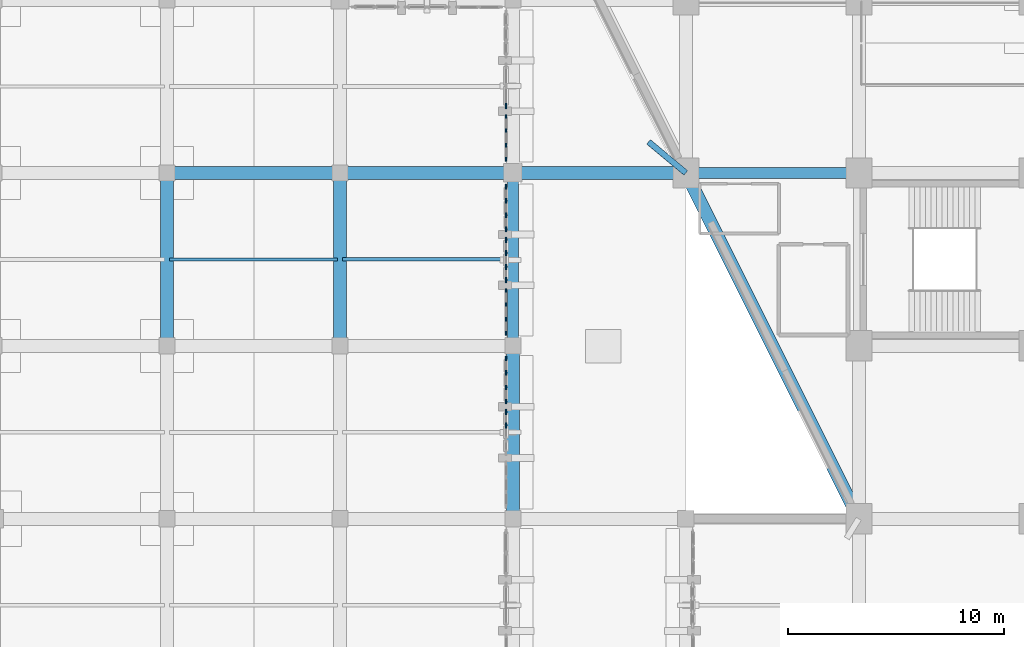
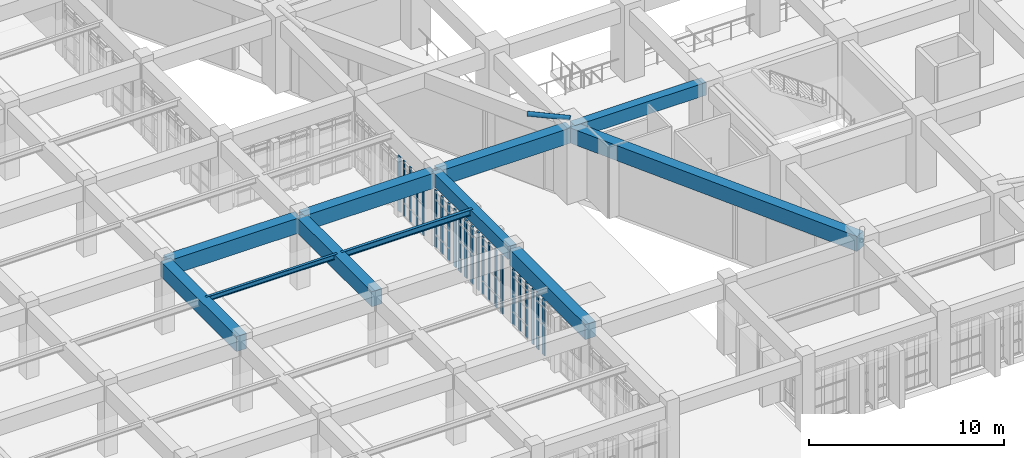
# One storey, part 13 of 155: 24 members, 11 beams, 7 elements without a shape of their own.
"""IFC4 building model written with IfcOpenShell, lengths in metres."""

from ifc_helpers import new_model, si_unit, direction, frame, origin, origin_2d, place, context, subcontext, project, spatial, rectangle, hollow_circle, i_section, extrude, material, layer, layer_set, material_profile, profile_set, type_object, element, aggregate, save


model = new_model("IFC4")

# Units and contexts
model_context = context("Model", 3, precision=1e-05, world=origin(), true_north=direction((0.0, 1.0)))
body_context = subcontext(model_context, "Body", "Model", "MODEL_VIEW")
ifc_project = project(units=[si_unit("LENGTHUNIT", "METRE"), si_unit("AREAUNIT", "SQUARE_METRE"), si_unit("VOLUMEUNIT", "CUBIC_METRE"), si_unit("PLANEANGLEUNIT", "RADIAN"), si_unit("MASSUNIT", "GRAM", prefix="KILO")], contexts=[model_context])

# Site, building, storey
site_placement = place(None, origin())
site = spatial("IfcSite", under=ifc_project, at=site_placement, CompositionType="ELEMENT")
building_placement = place(site_placement, origin())
building = spatial("IfcBuilding", under=site, at=building_placement, Name="Tazarka Park Arena", CompositionType="ELEMENT")
storey_placement = place(building_placement, frame((0.0, 0.0, 5.39990234375)))
storey = spatial("IfcBuildingStorey", under=building, at=storey_placement, Name="L01", CompositionType="ELEMENT", Elevation=5.39990234375)

# Beams
ifc_material_1 = material(Name="Concrete C40/50", Category="concrete")
ifc_material_profile_1 = material_profile(ifc_material_1, rectangle(XDim=0.60009765625, YDim=0.949951171875, at=origin_2d()), Name="Concrete C40/50")
ifc_profile_set_1 = profile_set([ifc_material_profile_1], Name="Concrete C40/50")
beam_type_1 = type_object("IfcBeamType", Name="BM-B-03", PredefinedType="BEAM", material=ifc_profile_set_1)
for number, where, z_axis, x_axis, name in (
    (1, (32.0, 24.1201171875, 3.945068359375), (0.0, 1.0, 0.0), (-1.0, 0.0, 0.0), "GYM-L01-04-03"),
    (2, (32.1201171875, 32.0, 3.945068359375), (1.0, 0.0, 0.0), (0.0, 1.0, 0.0), "GXM-L01-04-04"),
    (3, (40.0, 24.1201171875, 3.945068359375), (0.0, 1.0, 0.0), (-1.0, 0.0, 0.0), "GYM-L01-05-03"),
    (4, (40.1201171875, 32.0, 3.945068359375), (1.0, 0.0, 0.0), (0.0, 1.0, 0.0), "GXM-L01-05-04"),
    (5, (48.0, 16.1201171875, 3.945068359375), (0.0, 1.0, 0.0), (-1.0, 0.0, 0.0), "GYM-L01-06-02"),
    (6, (48.1201171875, 32.0, 3.945068359375), (1.0, 0.0, 0.0), (0.0, 1.0, 0.0), "GXM-L01-06-04"),
):
    element("IfcBeam", number, at=place(storey_placement, frame(where, z_axis=z_axis, x_axis=x_axis)), inside=storey, type_object=beam_type_1, Name=name, PredefinedType="BEAM", context=body_context, shape_type="SweptSolid", body=[
        extrude(rectangle(XDim=0.60009765625, YDim=0.949951171875, at=origin_2d()), origin(), (0.0, 0.0, 1.0), 7.759765625),
    ])
ifc_material_2 = material(Name="Steel S355", Category="steel")
ifc_material_profile_2 = material_profile(ifc_material_2, i_section(OverallWidth=0.14990234375, OverallDepth=0.300048828125, WebThickness=0.007080078125, FlangeThickness=0.0107421875, FilletRadius=0.014892578125, at=origin_2d()), Name="Steel S355")
ifc_profile_set_2 = profile_set([ifc_material_profile_2], Name="Steel S355")
beam_type_2 = type_object("IfcBeamType", Name="BM-J-01", PredefinedType="JOIST", material=ifc_profile_set_2)
beam_1_placement = place(storey_placement, frame((32.1201171875, 28.0, 4.27001953125), z_axis=(1.0, 0.0, 0.0), x_axis=(0.0, 1.0, 0.0)))
element("IfcBeam", 7, at=beam_1_placement, inside=storey, type_object=beam_type_2, Name="JST-L01-04-03", PredefinedType="JOIST", context=body_context, shape_type="SweptSolid", body=[
    extrude(i_section(OverallWidth=0.14990234375, OverallDepth=0.300048828125, WebThickness=0.007080078125, FlangeThickness=0.0107421875, FilletRadius=0.014892578125, at=origin_2d()), origin(), (0.0, 0.0, 1.0), 7.759765625),
])
ifc_material_3 = material(Name="Steel S355", Category="steel")
ifc_material_profile_3 = material_profile(ifc_material_3, i_section(OverallWidth=0.169921875, OverallDepth=0.360107421875, WebThickness=0.008056640625, FlangeThickness=0.0126953125, FilletRadius=0.01806640625, at=origin_2d()), Name="Steel S355")
ifc_profile_set_3 = profile_set([ifc_material_profile_3], Name="Steel S355")
beam_type_3 = type_object("IfcBeamType", Name="BM-J-02", PredefinedType="JOIST", material=ifc_profile_set_3)
beam_2_placement = place(storey_placement, frame((40.1201171875, 28.0, 4.239990234375), z_axis=(1.0, 0.0, 0.0), x_axis=(0.0, 1.0, 0.0)))
element("IfcBeam", 8, at=beam_2_placement, inside=storey, type_object=beam_type_3, Name="JST-L01-05-03", PredefinedType="JOIST", context=body_context, shape_type="SweptSolid", body=[
    extrude(i_section(OverallWidth=0.169921875, OverallDepth=0.360107421875, WebThickness=0.008056640625, FlangeThickness=0.0126953125, FilletRadius=0.01806640625, at=origin_2d()), origin(), (0.0, 0.0, 1.0), 7.759765625),
])
ifc_material_4 = material(Name="Concrete C40/50", Category="concrete")
ifc_material_profile_4 = material_profile(ifc_material_4, rectangle(XDim=0.5, YDim=0.800048828125, at=origin_2d()), Name="Concrete C40/50")
ifc_profile_set_4 = profile_set([ifc_material_profile_4], Name="Concrete C40/50")
beam_type_4 = type_object("IfcBeamType", Name="BM-SP-01", PredefinedType="SPANDREL", material=ifc_profile_set_4)
for number, where, z_axis, x_axis, name in (
    (9, (48.0, 24.1201171875, 4.02001953125), (0.0, 1.0, 0.0), (-1.0, 0.0, 0.0), "GYM-L01-06-03"),
    (10, (56.1201171875, 32.0, 4.02001953125), (1.0, 0.0, 0.0), (0.0, 1.0, 0.0), "GXM-L01-07-04"),
):
    element("IfcBeam", number, at=place(storey_placement, frame(where, z_axis=z_axis, x_axis=x_axis)), inside=storey, type_object=beam_type_4, Name=name, PredefinedType="SPANDREL", context=body_context, shape_type="SweptSolid", body=[
        extrude(rectangle(XDim=0.5, YDim=0.800048828125, at=origin_2d()), origin(), (0.0, 0.0, 1.0), 7.759765625),
    ])
ifc_material_5 = material(Name="Concrete C40/50", Category="concrete")
ifc_material_profile_5 = material_profile(ifc_material_5, rectangle(XDim=0.60009765625, YDim=0.949951171875, at=origin_2d()), Name="Concrete C40/50")
ifc_profile_set_5 = profile_set([ifc_material_profile_5], Name="Concrete C40/50")
beam_type_5 = type_object("IfcBeamType", Name="BM-SP-03", PredefinedType="SPANDREL", material=ifc_profile_set_5)
beam_3_placement = place(storey_placement, frame((56.0537109375, 31.892578125, 3.945068359375), z_axis=(0.4472135955, -0.894427191, 0.0), x_axis=(0.894427191, 0.4472135955, 0.0)))
element("IfcBeam", 11, at=beam_3_placement, inside=storey, type_object=beam_type_5, Name="RING BEAM SP-03-L01-24", PredefinedType="SPANDREL", context=body_context, shape_type="SweptSolid", body=[
    extrude(rectangle(XDim=0.60009765625, YDim=0.949951171875, at=origin_2d()), origin(), (0.0, 0.0, 1.0), 17.6484375),
])

# Curtain wall, members
ifc_material_6 = material(Name="Aluminium and low-e glass", Category="aluminium")
ifc_layer_1 = layer(ifc_material_6, 0.179931640625, Name="Aluminium and low-e glass")
ifc_layer_set_1 = layer_set([ifc_layer_1], Name="Aluminium and low-e glass")
curtain_wall_type_1 = type_object("IfcCurtainWallType", Name="CW-06", PredefinedType="NOTDEFINED", material=ifc_layer_set_1)
curtain_wall_1_placement = place(storey_placement, origin())
curtain_wall_1 = element("IfcCurtainWall", 12, at=curtain_wall_1_placement, inside=storey, type_object=curtain_wall_type_1, Name="Curtain Wall CWA-L01-096", PredefinedType="NOTDEFINED")
ifc_material_7 = material(Name="Aluminium 6060-T66", Category="aluminium")
ifc_material_profile_6 = material_profile(ifc_material_7, rectangle(XDim=0.06494140625, YDim=0.179931640625, at=origin_2d()), Name="Aluminium 6060-T66")
ifc_profile_set_6 = profile_set([ifc_material_profile_6], Name="Aluminium 6060-T66")
member_type_1 = type_object("IfcMemberType", Name="CWM-01", PredefinedType="MULLION", material=ifc_profile_set_6)
member_1_placement = place(storey_placement, frame((47.679931640625, 26.55908203125, 0.0), z_axis=(0.0, 0.0, 1.0), x_axis=(1.0, 0.0, 0.0)))
member_1 = element("IfcMember", 13, at=member_1_placement, type_object=member_type_1, Name="CW-06 mullion 1", PredefinedType="MULLION", context=body_context, shape_type="SweptSolid", body=[
    extrude(rectangle(XDim=0.06494140625, YDim=0.179931640625, at=origin_2d()), origin(), (0.0, 0.0, 1.0), 3.60009765625),
])
member_2_placement = place(storey_placement, frame((47.679931640625, 25.912841796875, 0.0), z_axis=(0.0, 0.0, 1.0), x_axis=(1.0, 0.0, 0.0)))
member_2 = element("IfcMember", 14, at=member_2_placement, type_object=member_type_1, Name="CW-06 mullion 2", PredefinedType="MULLION", context=body_context, shape_type="SweptSolid", body=[
    extrude(rectangle(XDim=0.06494140625, YDim=0.179931640625, at=origin_2d()), origin(), (0.0, 0.0, 1.0), 3.60009765625),
])
member_3_placement = place(storey_placement, frame((47.679931640625, 25.23388671875, 0.0), z_axis=(0.0, 0.0, 1.0), x_axis=(1.0, 0.0, 0.0)))
member_3 = element("IfcMember", 15, at=member_3_placement, type_object=member_type_1, Name="CW-06 mullion 3", PredefinedType="MULLION", context=body_context, shape_type="SweptSolid", body=[
    extrude(rectangle(XDim=0.06494140625, YDim=0.179931640625, at=origin_2d()), origin(), (0.0, 0.0, 1.0), 3.60009765625),
])
member_4_placement = place(storey_placement, frame((47.679931640625, 24.58740234375, 0.0), z_axis=(0.0, 0.0, 1.0), x_axis=(1.0, 0.0, 0.0)))
member_4 = element("IfcMember", 16, at=member_4_placement, type_object=member_type_1, Name="CW-06 mullion 4", PredefinedType="MULLION", context=body_context, shape_type="SweptSolid", body=[
    extrude(rectangle(XDim=0.06494140625, YDim=0.179931640625, at=origin_2d()), origin(), (0.0, 0.0, 1.0), 3.60009765625),
])
aggregate(curtain_wall_1, [member_1, member_2, member_3, member_4])

ifc_material_8 = material(Name="Aluminium and low-e glass", Category="aluminium")
ifc_layer_2 = layer(ifc_material_8, 0.179931640625, Name="Aluminium and low-e glass")
ifc_layer_set_2 = layer_set([ifc_layer_2], Name="Aluminium and low-e glass")
curtain_wall_type_2 = type_object("IfcCurtainWallType", Name="CW-09", PredefinedType="NOTDEFINED", material=ifc_layer_set_2)
curtain_wall_2_placement = place(storey_placement, origin())
curtain_wall_2 = element("IfcCurtainWall", 17, at=curtain_wall_2_placement, inside=storey, type_object=curtain_wall_type_2, Name="Curtain Wall CWA-L01-099", PredefinedType="NOTDEFINED")
member_5_placement = place(storey_placement, frame((47.679931640625, 34.609130859375, 0.0), z_axis=(0.0, 0.0, 1.0), x_axis=(1.0, 0.0, 0.0)))
member_5 = element("IfcMember", 18, at=member_5_placement, type_object=member_type_1, Name="CW-09 mullion 1", PredefinedType="MULLION", context=body_context, shape_type="SweptSolid", body=[
    extrude(rectangle(XDim=0.06494140625, YDim=0.179931640625, at=origin_2d()), origin(), (0.0, 0.0, 1.0), 3.4501953125),
])
member_6_placement = place(storey_placement, frame((47.679931640625, 33.962890625, 0.0), z_axis=(0.0, 0.0, 1.0), x_axis=(1.0, 0.0, 0.0)))
member_6 = element("IfcMember", 19, at=member_6_placement, type_object=member_type_1, Name="CW-09 mullion 2", PredefinedType="MULLION", context=body_context, shape_type="SweptSolid", body=[
    extrude(rectangle(XDim=0.06494140625, YDim=0.179931640625, at=origin_2d()), origin(), (0.0, 0.0, 1.0), 3.4501953125),
])
member_7_placement = place(storey_placement, frame((47.679931640625, 33.283935546875, 0.0), z_axis=(0.0, 0.0, 1.0), x_axis=(1.0, 0.0, 0.0)))
member_7 = element("IfcMember", 20, at=member_7_placement, type_object=member_type_1, Name="CW-09 mullion 3", PredefinedType="MULLION", context=body_context, shape_type="SweptSolid", body=[
    extrude(rectangle(XDim=0.06494140625, YDim=0.179931640625, at=origin_2d()), origin(), (0.0, 0.0, 1.0), 3.4501953125),
])
member_8_placement = place(storey_placement, frame((47.679931640625, 32.637451171875, 0.0), z_axis=(0.0, 0.0, 1.0), x_axis=(1.0, 0.0, 0.0)))
member_8 = element("IfcMember", 21, at=member_8_placement, type_object=member_type_1, Name="CW-09 mullion 4", PredefinedType="MULLION", context=body_context, shape_type="SweptSolid", body=[
    extrude(rectangle(XDim=0.06494140625, YDim=0.179931640625, at=origin_2d()), origin(), (0.0, 0.0, 1.0), 3.4501953125),
])
aggregate(curtain_wall_2, [member_5, member_6, member_7, member_8])

ifc_material_9 = material(Name="Aluminium and low-e glass", Category="aluminium")
ifc_layer_3 = layer(ifc_material_9, 0.179931640625, Name="Aluminium and low-e glass")
ifc_layer_set_3 = layer_set([ifc_layer_3], Name="Aluminium and low-e glass")
curtain_wall_type_3 = type_object("IfcCurtainWallType", Name="CW-01", PredefinedType="NOTDEFINED", material=ifc_layer_set_3)
curtain_wall_3_placement = place(storey_placement, origin())
curtain_wall_3 = element("IfcCurtainWall", 22, at=curtain_wall_3_placement, inside=storey, type_object=curtain_wall_type_3, Name="Curtain Wall CWA-L01-091", PredefinedType="NOTDEFINED")
ifc_material_10 = material(Name="Aluminium 6060-T66", Category="aluminium")
ifc_material_profile_7 = material_profile(ifc_material_10, rectangle(XDim=0.06494140625, YDim=0.219970703125, at=origin_2d()), Name="Aluminium 6060-T66")
ifc_profile_set_7 = profile_set([ifc_material_profile_7], Name="Aluminium 6060-T66")
member_type_2 = type_object("IfcMemberType", Name="CWM-02", PredefinedType="MULLION", material=ifc_profile_set_7)
member_9_placement = place(storey_placement, frame((47.679931640625, 23.41259765625, 0.0), z_axis=(0.0, 0.0, 1.0), x_axis=(1.0, 0.0, 0.0)))
member_9 = element("IfcMember", 23, at=member_9_placement, type_object=member_type_2, Name="CW-01 mullion 1", PredefinedType="MULLION", context=body_context, shape_type="SweptSolid", body=[
    extrude(rectangle(XDim=0.06494140625, YDim=0.219970703125, at=origin_2d()), origin(), (0.0, 0.0, 1.0), 3.4501953125),
])
member_10_placement = place(storey_placement, frame((47.679931640625, 22.760498046875, 0.0), z_axis=(0.0, 0.0, 1.0), x_axis=(1.0, 0.0, 0.0)))
member_10 = element("IfcMember", 24, at=member_10_placement, type_object=member_type_2, Name="CW-01 mullion 2", PredefinedType="MULLION", context=body_context, shape_type="SweptSolid", body=[
    extrude(rectangle(XDim=0.06494140625, YDim=0.219970703125, at=origin_2d()), origin(), (0.0, 0.0, 1.0), 3.4501953125),
])
member_11_placement = place(storey_placement, frame((47.679931640625, 22.076171875, 0.0), z_axis=(0.0, 0.0, 1.0), x_axis=(1.0, 0.0, 0.0)))
member_11 = element("IfcMember", 25, at=member_11_placement, type_object=member_type_2, Name="CW-01 mullion 3", PredefinedType="MULLION", context=body_context, shape_type="SweptSolid", body=[
    extrude(rectangle(XDim=0.06494140625, YDim=0.219970703125, at=origin_2d()), origin(), (0.0, 0.0, 1.0), 3.4501953125),
])
member_12_placement = place(storey_placement, frame((47.679931640625, 21.42431640625, 0.0), z_axis=(0.0, 0.0, 1.0), x_axis=(1.0, 0.0, 0.0)))
member_12 = element("IfcMember", 26, at=member_12_placement, type_object=member_type_2, Name="CW-01 mullion 4", PredefinedType="MULLION", context=body_context, shape_type="SweptSolid", body=[
    extrude(rectangle(XDim=0.06494140625, YDim=0.219970703125, at=origin_2d()), origin(), (0.0, 0.0, 1.0), 3.4501953125),
])
aggregate(curtain_wall_3, [member_9, member_10, member_11, member_12])

ifc_material_11 = material(Name="Aluminium and low-e glass", Category="aluminium")
ifc_layer_4 = layer(ifc_material_11, 0.179931640625, Name="Aluminium and low-e glass")
ifc_layer_set_4 = layer_set([ifc_layer_4], Name="Aluminium and low-e glass")
curtain_wall_type_4 = type_object("IfcCurtainWallType", Name="CW-04", PredefinedType="NOTDEFINED", material=ifc_layer_set_4)
curtain_wall_4_placement = place(storey_placement, origin())
curtain_wall_4 = element("IfcCurtainWall", 27, at=curtain_wall_4_placement, inside=storey, type_object=curtain_wall_type_4, Name="Curtain Wall CWA-L01-094", PredefinedType="NOTDEFINED")
member_13_placement = place(storey_placement, frame((47.679931640625, 31.362548828125, 0.0), z_axis=(0.0, 0.0, 1.0), x_axis=(1.0, 0.0, 0.0)))
member_13 = element("IfcMember", 28, at=member_13_placement, type_object=member_type_2, Name="CW-04 mullion 1", PredefinedType="MULLION", context=body_context, shape_type="SweptSolid", body=[
    extrude(rectangle(XDim=0.06494140625, YDim=0.219970703125, at=origin_2d()), origin(), (0.0, 0.0, 1.0), 3.60009765625),
])
member_14_placement = place(storey_placement, frame((47.679931640625, 30.716064453125, 0.0), z_axis=(0.0, 0.0, 1.0), x_axis=(1.0, 0.0, 0.0)))
member_14 = element("IfcMember", 29, at=member_14_placement, type_object=member_type_2, Name="CW-04 mullion 2", PredefinedType="MULLION", context=body_context, shape_type="SweptSolid", body=[
    extrude(rectangle(XDim=0.06494140625, YDim=0.219970703125, at=origin_2d()), origin(), (0.0, 0.0, 1.0), 3.60009765625),
])
member_15_placement = place(storey_placement, frame((47.679931640625, 30.037109375, 0.0), z_axis=(0.0, 0.0, 1.0), x_axis=(1.0, 0.0, 0.0)))
member_15 = element("IfcMember", 30, at=member_15_placement, type_object=member_type_2, Name="CW-04 mullion 3", PredefinedType="MULLION", context=body_context, shape_type="SweptSolid", body=[
    extrude(rectangle(XDim=0.06494140625, YDim=0.219970703125, at=origin_2d()), origin(), (0.0, 0.0, 1.0), 3.60009765625),
])
member_16_placement = place(storey_placement, frame((47.679931640625, 29.390869140625, 0.0), z_axis=(0.0, 0.0, 1.0), x_axis=(1.0, 0.0, 0.0)))
member_16 = element("IfcMember", 31, at=member_16_placement, type_object=member_type_2, Name="CW-04 mullion 4", PredefinedType="MULLION", context=body_context, shape_type="SweptSolid", body=[
    extrude(rectangle(XDim=0.06494140625, YDim=0.219970703125, at=origin_2d()), origin(), (0.0, 0.0, 1.0), 3.60009765625),
])
aggregate(curtain_wall_4, [member_13, member_14, member_15, member_16])

ifc_material_12 = material(Name="Aluminium and low-e glass", Category="aluminium")
ifc_layer_5 = layer(ifc_material_12, 0.179931640625, Name="Aluminium and low-e glass")
ifc_layer_set_5 = layer_set([ifc_layer_5], Name="Aluminium and low-e glass")
curtain_wall_type_5 = type_object("IfcCurtainWallType", Name="CW-02", PredefinedType="NOTDEFINED", material=ifc_layer_set_5)
curtain_wall_5_placement = place(storey_placement, origin())
curtain_wall_5 = element("IfcCurtainWall", 32, at=curtain_wall_5_placement, inside=storey, type_object=curtain_wall_type_5, Name="Curtain Wall CWA-L01-092", PredefinedType="NOTDEFINED")
ifc_material_13 = material(Name="Aluminium 6060-T66", Category="aluminium")
ifc_material_profile_8 = material_profile(ifc_material_13, rectangle(XDim=0.074951171875, YDim=0.25, at=origin_2d()), Name="Aluminium 6060-T66")
ifc_profile_set_8 = profile_set([ifc_material_profile_8], Name="Aluminium 6060-T66")
member_type_3 = type_object("IfcMemberType", Name="CWM-03", PredefinedType="MULLION", material=ifc_profile_set_8)
member_17_placement = place(storey_placement, frame((47.679931640625, 20.93408203125, 0.0), z_axis=(0.0, 0.0, 1.0), x_axis=(1.0, 0.0, 0.0)))
member_17 = element("IfcMember", 33, at=member_17_placement, type_object=member_type_3, Name="CW-02 mullion 1", PredefinedType="MULLION", context=body_context, shape_type="SweptSolid", body=[
    extrude(rectangle(XDim=0.074951171875, YDim=0.25, at=origin_2d()), origin(), (0.0, 0.0, 1.0), 3.4501953125),
])
member_18_placement = place(storey_placement, frame((47.679931640625, 20.323974609375, 0.0), z_axis=(0.0, 0.0, 1.0), x_axis=(1.0, 0.0, 0.0)))
member_18 = element("IfcMember", 34, at=member_18_placement, type_object=member_type_3, Name="CW-02 mullion 2", PredefinedType="MULLION", context=body_context, shape_type="SweptSolid", body=[
    extrude(rectangle(XDim=0.074951171875, YDim=0.25, at=origin_2d()), origin(), (0.0, 0.0, 1.0), 3.4501953125),
])
aggregate(curtain_wall_5, [member_17, member_18])

ifc_material_14 = material(Name="Aluminium and low-e glass", Category="aluminium")
ifc_layer_6 = layer(ifc_material_14, 0.179931640625, Name="Aluminium and low-e glass")
ifc_layer_set_6 = layer_set([ifc_layer_6], Name="Aluminium and low-e glass")
curtain_wall_type_6 = type_object("IfcCurtainWallType", Name="CW-05", PredefinedType="NOTDEFINED", material=ifc_layer_set_6)
curtain_wall_6_placement = place(storey_placement, origin())
curtain_wall_6 = element("IfcCurtainWall", 35, at=curtain_wall_6_placement, inside=storey, type_object=curtain_wall_type_6, Name="Curtain Wall CWA-L01-095", PredefinedType="NOTDEFINED")
member_19_placement = place(storey_placement, frame((47.679931640625, 28.90087890625, 0.0), z_axis=(0.0, 0.0, 1.0), x_axis=(1.0, 0.0, 0.0)))
member_19 = element("IfcMember", 36, at=member_19_placement, type_object=member_type_3, Name="CW-05 mullion 1", PredefinedType="MULLION", context=body_context, shape_type="SweptSolid", body=[
    extrude(rectangle(XDim=0.074951171875, YDim=0.25, at=origin_2d()), origin(), (0.0, 0.0, 1.0), 3.60009765625),
])
member_20_placement = place(storey_placement, frame((47.679931640625, 28.296142578125, 0.0), z_axis=(0.0, 0.0, 1.0), x_axis=(1.0, 0.0, 0.0)))
member_20 = element("IfcMember", 37, at=member_20_placement, type_object=member_type_3, Name="CW-05 mullion 2", PredefinedType="MULLION", context=body_context, shape_type="SweptSolid", body=[
    extrude(rectangle(XDim=0.074951171875, YDim=0.25, at=origin_2d()), origin(), (0.0, 0.0, 1.0), 3.60009765625),
])
member_21_placement = place(storey_placement, frame((47.679931640625, 27.65380859375, 0.0), z_axis=(0.0, 0.0, 1.0), x_axis=(1.0, 0.0, 0.0)))
member_21 = element("IfcMember", 38, at=member_21_placement, type_object=member_type_3, Name="CW-05 mullion 3", PredefinedType="MULLION", context=body_context, shape_type="SweptSolid", body=[
    extrude(rectangle(XDim=0.074951171875, YDim=0.25, at=origin_2d()), origin(), (0.0, 0.0, 1.0), 3.60009765625),
])
member_22_placement = place(storey_placement, frame((47.679931640625, 27.04931640625, 0.0), z_axis=(0.0, 0.0, 1.0), x_axis=(1.0, 0.0, 0.0)))
member_22 = element("IfcMember", 39, at=member_22_placement, type_object=member_type_3, Name="CW-05 mullion 4", PredefinedType="MULLION", context=body_context, shape_type="SweptSolid", body=[
    extrude(rectangle(XDim=0.074951171875, YDim=0.25, at=origin_2d()), origin(), (0.0, 0.0, 1.0), 3.60009765625),
])
aggregate(curtain_wall_6, [member_19, member_20, member_21, member_22])

# Curtain wall, member
ifc_material_15 = material(Name="Aluminium and low-e glass", Category="aluminium")
ifc_layer_7 = layer(ifc_material_15, 0.179931640625, Name="Aluminium and low-e glass")
ifc_layer_set_7 = layer_set([ifc_layer_7], Name="Aluminium and low-e glass")
curtain_wall_type_7 = type_object("IfcCurtainWallType", Name="CW-08", PredefinedType="NOTDEFINED", material=ifc_layer_set_7)
curtain_wall_7_placement = place(storey_placement, origin())
curtain_wall_7 = element("IfcCurtainWall", 40, at=curtain_wall_7_placement, inside=storey, type_object=curtain_wall_type_7, Name="Curtain Wall CWA-L01-098", PredefinedType="NOTDEFINED")
member_23_placement = place(storey_placement, frame((47.679931640625, 35.09912109375, 0.0), z_axis=(0.0, 0.0, 1.0), x_axis=(1.0, 0.0, 0.0)))
member_23 = element("IfcMember", 41, at=member_23_placement, type_object=member_type_3, Name="CW-08 mullion 3", PredefinedType="MULLION", context=body_context, shape_type="SweptSolid", body=[
    extrude(rectangle(XDim=0.074951171875, YDim=0.25, at=origin_2d()), origin(), (0.0, 0.0, 1.0), 3.4501953125),
])
aggregate(curtain_wall_7, [member_23])

# Member
ifc_material_16 = material(Name="Steel S355", Category="steel")
ifc_material_profile_9 = material_profile(ifc_material_16, hollow_circle(Radius=0.136474609375, WallThickness=0.012451171875, at=origin_2d()), Name="Steel S355")
ifc_profile_set_9 = profile_set([ifc_material_profile_9], Name="Steel S355")
member_type_4 = type_object("IfcMemberType", Name="MEM-SR-01", PredefinedType="STRUT", material=ifc_profile_set_9)
member_24_placement = place(storey_placement, frame((56.0, 32.0, 4.800048828125), z_axis=(-0.768194541447, 0.640216484082, 0.0), x_axis=(-0.640216484082, -0.768194541447, 0.0)))
element("IfcMember", 42, at=member_24_placement, inside=storey, type_object=member_type_4, Name="FSB-23", PredefinedType="STRUT", context=body_context, shape_type="SweptSolid", body=[
    extrude(hollow_circle(Radius=0.136474609375, WallThickness=0.012451171875, at=origin_2d()), origin(), (0.0, 0.0, 1.0), 2.245361328125),
])

save(model, "model.ifc")
